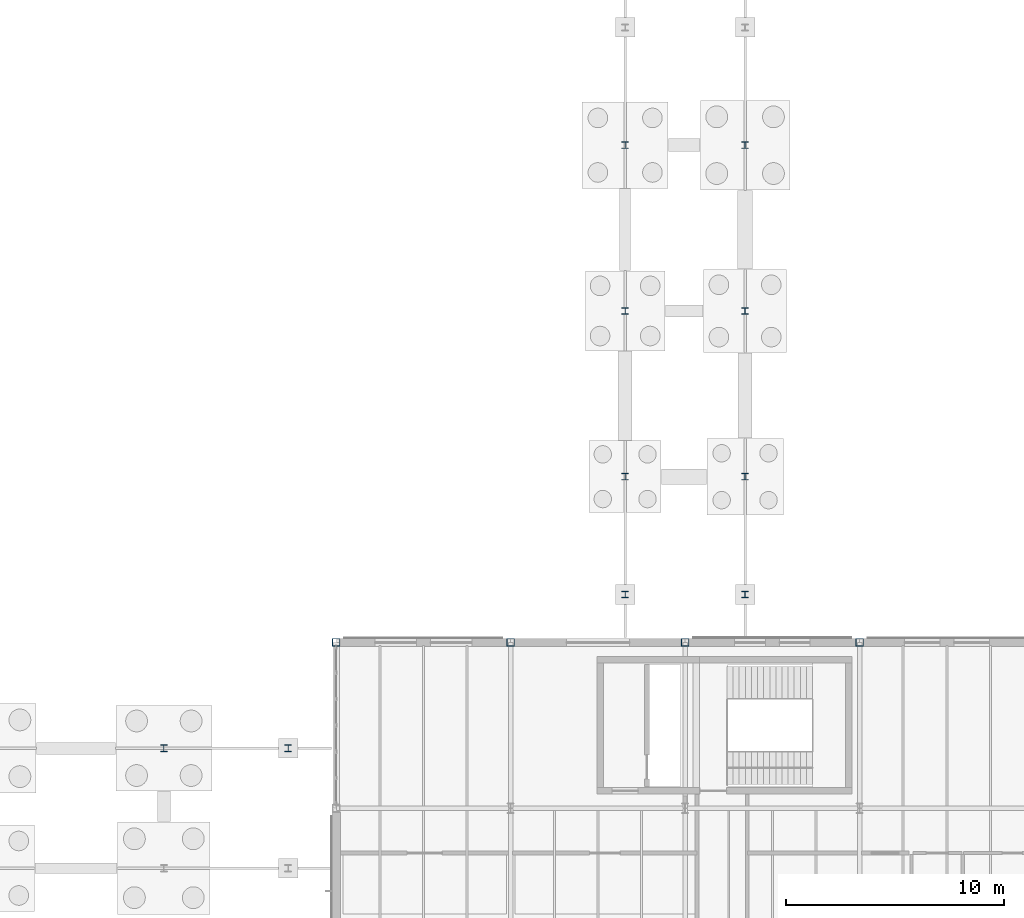
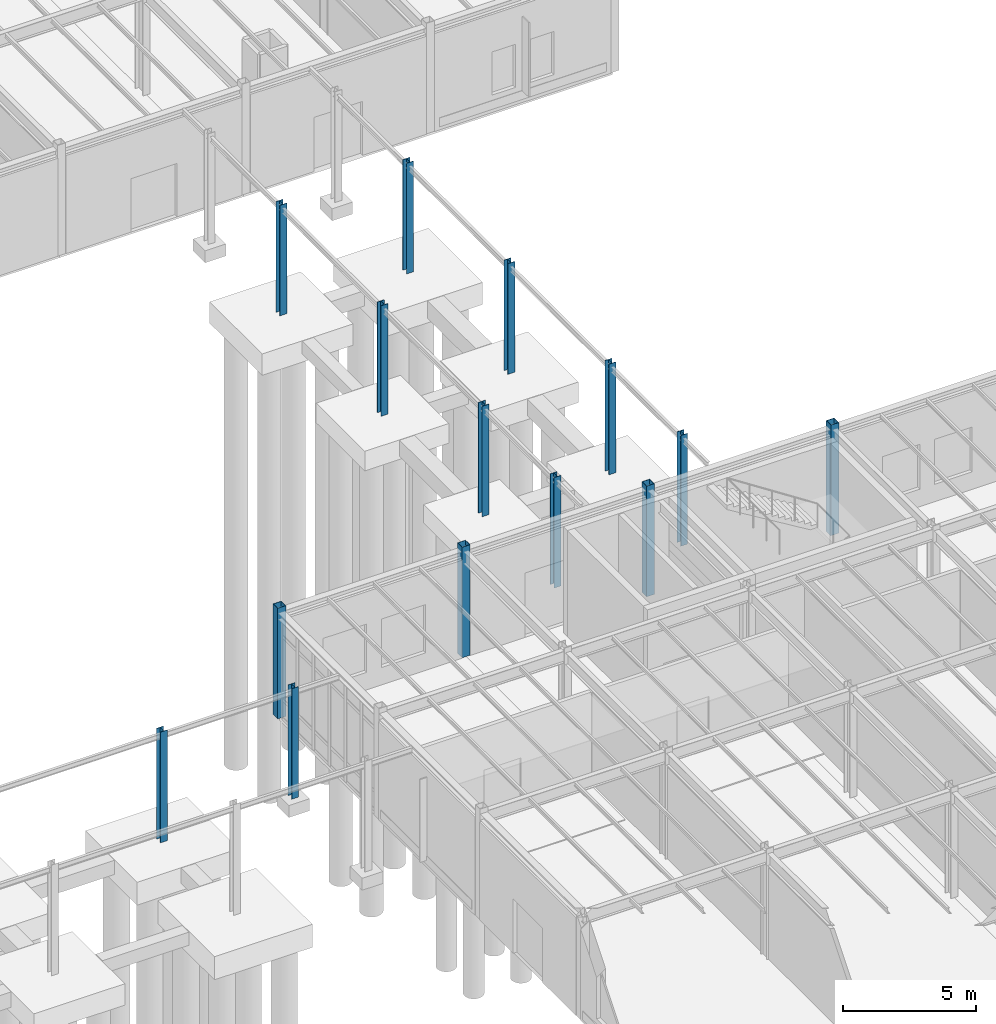
# One storey, part 22 of 109: 14 columns.
"""IFC4 building model written with IfcOpenShell, lengths in metres."""

from ifc_helpers import new_model, si_unit, direction, frame, origin, origin_2d, place, context, subcontext, project, spatial, hollow_rectangle, i_section, extrude, material, material_profile, profile_set, type_object, element, save


model = new_model("IFC4")

# Units and contexts
model_context = context("Model", 3, precision=1e-05, world=origin(), true_north=direction((0.0, 1.0)))
body_context = subcontext(model_context, "Body", "Model", "MODEL_VIEW")
ifc_project = project(units=[si_unit("LENGTHUNIT", "METRE"), si_unit("AREAUNIT", "SQUARE_METRE"), si_unit("VOLUMEUNIT", "CUBIC_METRE"), si_unit("PLANEANGLEUNIT", "RADIAN"), si_unit("MASSUNIT", "GRAM", prefix="KILO")], contexts=[model_context])

# Site, building, storey
site_placement = place(None, origin())
site = spatial("IfcSite", under=ifc_project, at=site_placement, CompositionType="ELEMENT")
building_placement = place(site_placement, origin())
building = spatial("IfcBuilding", under=site, at=building_placement, Name="Montecoro Central Library", CompositionType="ELEMENT")
storey_placement = place(building_placement, origin())
storey = spatial("IfcBuildingStorey", under=building, at=storey_placement, Name="L00", CompositionType="ELEMENT", Elevation=0.0)

# Columns
ifc_material_1 = material(Name="Steel S355", Category="steel")
ifc_material_profile_1 = material_profile(ifc_material_1, i_section(OverallWidth=0.300048828125, OverallDepth=0.300048828125, WebThickness=0.010986328125, FlangeThickness=0.01904296875, at=origin_2d()), Name="HEB 300")
ifc_profile_set_1 = profile_set([ifc_material_profile_1], Name="Steel S355")
column_type_1 = type_object("IfcColumnType", Name="COL-HEB300", PredefinedType="COLUMN", material=ifc_profile_set_1)
for number, where, z_axis, x_axis, name in (
    (1, (154.25, 45.199951171875, 0.0), (0.0, 0.0, 1.0), (1.0, 0.0, 0.0), "BR-E-L00-COL-1542-452"),
    (2, (159.75, 45.199951171875, 0.0), (0.0, 0.0, 1.0), (1.0, 0.0, 0.0), "BR-E-L00-COL-1597-452"),
    (3, (154.25, 50.60009765625, 0.0), (0.0, 0.0, 1.0), (1.0, 0.0, 0.0), "BR-E-L00-COL-1542-506"),
    (4, (159.75, 50.60009765625, 0.0), (0.0, 0.0, 1.0), (1.0, 0.0, 0.0), "BR-E-L00-COL-1597-506"),
    (5, (154.25, 58.199951171875, 0.0), (0.0, 0.0, 1.0), (1.0, 0.0, 0.0), "BR-E-L00-COL-1542-582"),
    (6, (159.75, 58.199951171875, 0.0), (0.0, 0.0, 1.0), (1.0, 0.0, 0.0), "BR-E-L00-COL-1597-582"),
    (7, (154.25, 65.800048828125, 0.0), (0.0, 0.0, 1.0), (1.0, 0.0, 0.0), "BR-E-L00-COL-1542-658"),
    (8, (159.75, 65.800048828125, 0.0), (0.0, 0.0, 1.0), (1.0, 0.0, 0.0), "BR-E-L00-COL-1597-658"),
    (9, (133.10009765625, 38.14990234375, 0.0), (0.0, 0.0, 1.0), (1.0, 0.0, 0.0), "BR-SE-L00-COL-1331-381"),
    (10, (138.800048828125, 38.14990234375, 0.0), (0.0, 0.0, 1.0), (1.0, 0.0, 0.0), "BR-SE-L00-COL-1388-381"),
):
    element("IfcColumn", number, at=place(storey_placement, frame(where, z_axis=z_axis, x_axis=x_axis)), inside=storey, type_object=column_type_1, Name=name, PredefinedType="COLUMN", context=body_context, shape_type="SweptSolid", body=[
        extrude(i_section(OverallWidth=0.300048828125, OverallDepth=0.300048828125, WebThickness=0.010986328125, FlangeThickness=0.01904296875, at=origin_2d()), origin(), (0.0, 0.0, 1.0), 5.074951171875),
    ])
ifc_material_2 = material(Name="Steel S355J2", Category="steel")
ifc_material_profile_2 = material_profile(ifc_material_2, hollow_rectangle(XDim=0.35009765625, YDim=0.35009765625, WallThickness=0.01416015625, at=origin_2d()), Name="SHS 350x350x14.2")
ifc_profile_set_2 = profile_set([ifc_material_profile_2], Name="Steel S355J2")
column_type_2 = type_object("IfcColumnType", Name="COL-SHS350", PredefinedType="COLUMN", material=ifc_profile_set_2)
for number, where, z_axis, x_axis, name in (
    (11, (141.0, 43.0, 0.0), (0.0, 0.0, 1.0), (1.0, 0.0, 0.0), "V6-L00-COL-18-F"),
    (12, (149.0, 43.0, 0.0), (0.0, 0.0, 1.0), (1.0, 0.0, 0.0), "V6-L00-COL-19-F"),
    (13, (157.0, 43.0, 0.0), (0.0, 0.0, 1.0), (1.0, 0.0, 0.0), "V6-L00-COL-20-F"),
    (14, (165.0, 43.0, 0.0), (0.0, 0.0, 1.0), (1.0, 0.0, 0.0), "V6-L00-COL-21-F"),
):
    element("IfcColumn", number, at=place(storey_placement, frame(where, z_axis=z_axis, x_axis=x_axis)), inside=storey, type_object=column_type_2, Name=name, PredefinedType="COLUMN", context=body_context, shape_type="SweptSolid", body=[
        extrude(hollow_rectangle(XDim=0.35009765625, YDim=0.35009765625, WallThickness=0.01416015625, at=origin_2d()), origin(), (0.0, 0.0, 1.0), 5.074951171875),
    ])

save(model, "model.ifc")
